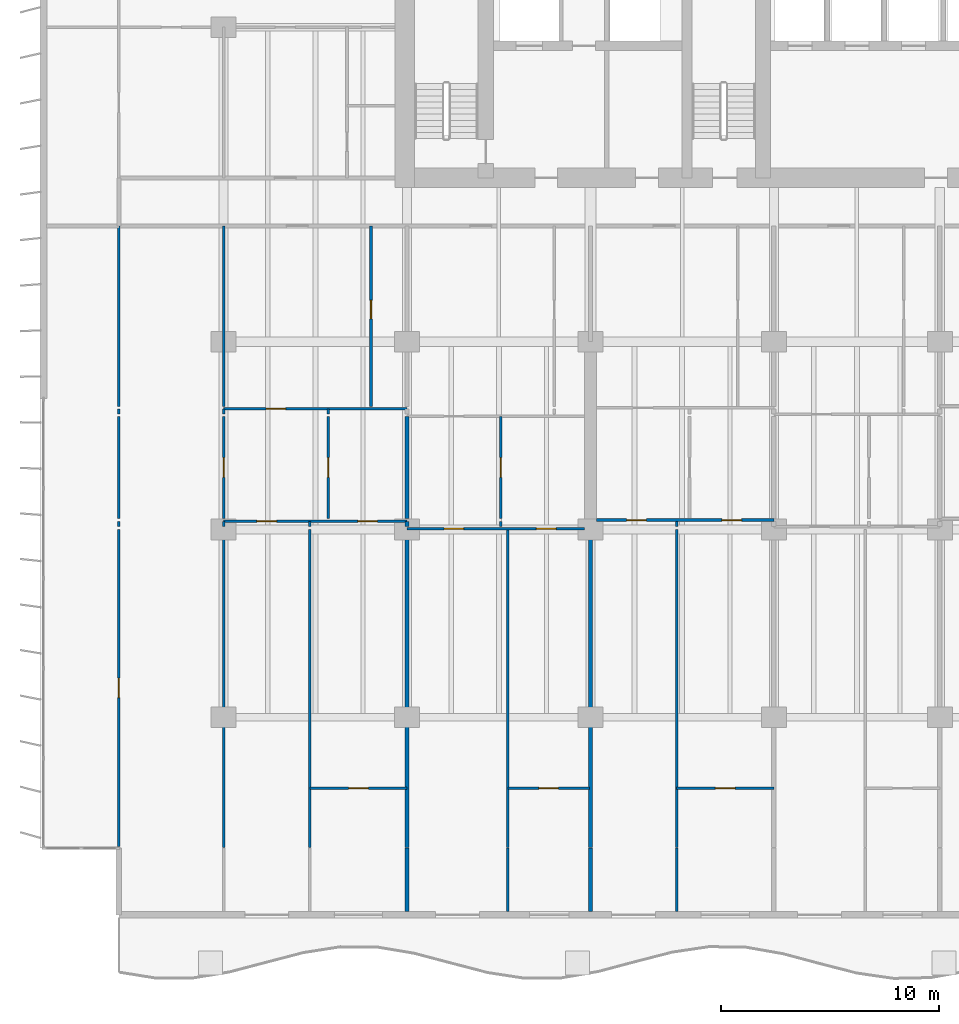
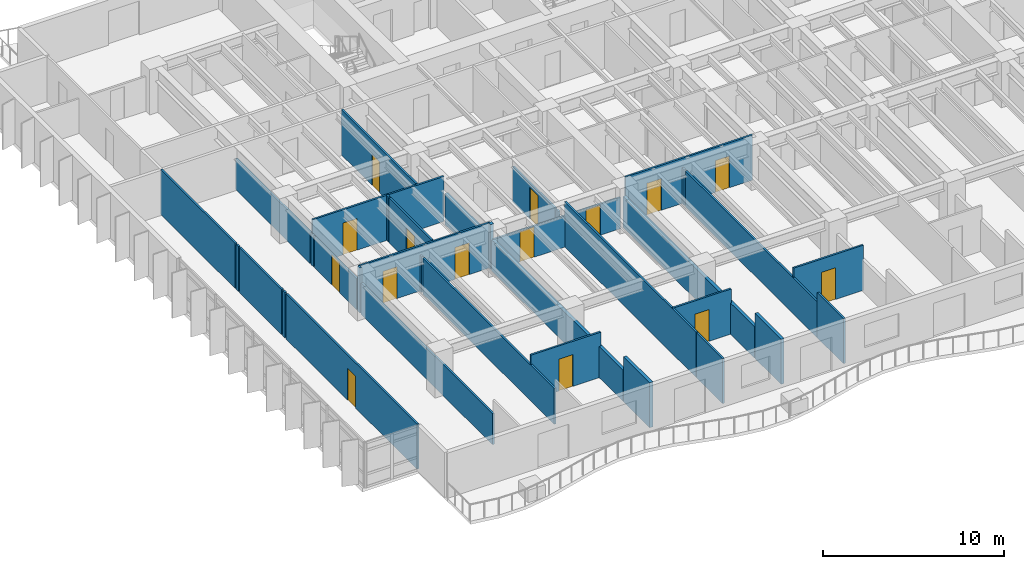
# One storey, part 6 of 19: 35 walls, 15 doors, 15 openings.
"""IFC4 building model written with IfcOpenShell, lengths in metres."""

from ifc_helpers import new_model, si_unit, direction, frame, frame_2d, origin, place, context, subcontext, project, spatial, rectangle, extrude, material, layer, layer_set, type_object, element, fill, save


model = new_model("IFC4")

# Units and contexts
model_context = context("Model", 3, precision=1e-05, world=origin(), true_north=direction((0.0, 1.0)))
body_context = subcontext(model_context, "Body", "Model", "MODEL_VIEW")
ifc_project = project(units=[si_unit("LENGTHUNIT", "METRE"), si_unit("AREAUNIT", "SQUARE_METRE"), si_unit("VOLUMEUNIT", "CUBIC_METRE"), si_unit("PLANEANGLEUNIT", "RADIAN"), si_unit("MASSUNIT", "GRAM", prefix="KILO")], contexts=[model_context])

# Site, building, storey
site_placement = place(None, origin())
site = spatial("IfcSite", under=ifc_project, at=site_placement, CompositionType="ELEMENT")
building_placement = place(site_placement, origin())
building = spatial("IfcBuilding", under=site, at=building_placement, Name="Caelmar Bay Residences", CompositionType="ELEMENT")
storey_placement = place(building_placement, frame((0.0, 0.0, 66.300048828125)))
storey = spatial("IfcBuildingStorey", under=building, at=storey_placement, Name="L17", CompositionType="ELEMENT", Elevation=66.300048828125)

# Wall, opening, door
ifc_material_1 = material(Name="Acoustic metal-stud gypsum partition 120 mm")
ifc_layer_1 = layer(ifc_material_1, 0.1201171875)
ifc_layer_set_1 = layer_set([ifc_layer_1], Name="Acoustic metal-stud gypsum partition 120 mm")
wall_type_1 = type_object("IfcWallType", Name="W-PRT-120", PredefinedType="PARTITIONING", material=ifc_layer_set_1)
wall_1_placement = place(storey_placement, frame((5.10009765625, 6.284912109375, 0.0), z_axis=(0.0, 0.0, 1.0), x_axis=(0.0, 1.0, 0.0)))
wall_1 = element("IfcWall", 1, at=wall_1_placement, inside=storey, type_object=wall_type_1, Name="L17 Partition Wall V001", PredefinedType="PARTITIONING", context=body_context, shape_type="SweptSolid", body=[
    extrude(rectangle(XDim=14.51513671875, YDim=0.1201171875, at=frame_2d((7.257568359375, 0.0))), origin(), (0.0, 0.0, 1.0), 3.050048828125),
])
opening_1_placement = place(wall_1_placement, frame((6.8076171875, 0.0, 0.0)))
opening_1 = element("IfcOpeningElement", 2, at=opening_1_placement, cuts=wall_1, Name="Opening D-L17-174", PredefinedType="OPENING", context=body_context, shape_type="SweptSolid", body=[
    extrude(rectangle(XDim=0.89990234375, YDim=2.14990234375, at=frame_2d((0.449951171875, 1.074951171875))), frame((0.0, 0.070068359375, 0.0), z_axis=(0.0, -1.0, 0.0), x_axis=(1.0, 0.0, 0.0)), (0.0, 0.0, 1.0), 0.14013671875),
])
ifc_material_2 = material(Name="Solid walnut timber interior door leaf and frame", Category="wood")
ifc_layer_2 = layer(ifc_material_2, 0.050048828125)
ifc_layer_set_2 = layer_set([ifc_layer_2], Name="Solid walnut timber interior door leaf and frame")
door_type_1 = type_object("IfcDoorType", Name="D-ROOM-900", OperationType="NOTDEFINED", PredefinedType="DOOR", material=ifc_layer_set_2)
door_1_placement = place(opening_1_placement, origin())
door_1 = element("IfcDoor", 3, at=door_1_placement, inside=storey, type_object=door_type_1, Name="L17 Residence 01 Penthouse West Salon Door", OperationType="SINGLE_SWING_LEFT", OverallHeight=2.14990234375, OverallWidth=0.89990234375, PredefinedType="DOOR", context=body_context, shape_type="SweptSolid", body=[
    extrude(rectangle(XDim=0.89990234375, YDim=2.14990234375, at=frame_2d((0.449951171875, 1.074951171875))), frame((0.0, 0.02490234375, 0.0), z_axis=(0.0, -1.0, 0.0), x_axis=(1.0, 0.0, 0.0)), (0.0, 0.0, 1.0), 0.050048828125),
])
fill(opening_1, door_1)

# Walls
wall_2_placement = place(storey_placement, frame((5.10009765625, 20.929931640625, 0.0), z_axis=(0.0, 0.0, 1.0), x_axis=(0.0, 1.0, 0.0)))
element("IfcWall", 4, at=wall_2_placement, inside=storey, type_object=wall_type_1, Name="L17 Partition Wall V002", PredefinedType="PARTITIONING", context=body_context, shape_type="SweptSolid", body=[
    extrude(rectangle(XDim=0.239990234375, YDim=0.1201171875, at=frame_2d((0.1201171875, 0.0))), origin(), (0.0, 0.0, 1.0), 3.050048828125),
])
wall_3_placement = place(storey_placement, frame((5.10009765625, 21.2900390625, 0.0), z_axis=(0.0, 0.0, 1.0), x_axis=(0.0, 1.0, 0.0)))
element("IfcWall", 5, at=wall_3_placement, inside=storey, type_object=wall_type_1, Name="L17 Partition Wall V003", PredefinedType="PARTITIONING", context=body_context, shape_type="SweptSolid", body=[
    extrude(rectangle(XDim=4.68994140625, YDim=0.1201171875, at=frame_2d((2.344970703125, 0.0))), origin(), (0.0, 0.0, 1.0), 3.050048828125),
])
wall_4_placement = place(storey_placement, frame((5.10009765625, 26.080078125, 0.0), z_axis=(0.0, 0.0, 1.0), x_axis=(0.0, 1.0, 0.0)))
element("IfcWall", 6, at=wall_4_placement, inside=storey, type_object=wall_type_1, Name="L17 Partition Wall V004", PredefinedType="PARTITIONING", context=body_context, shape_type="SweptSolid", body=[
    extrude(rectangle(XDim=0.239990234375, YDim=0.1201171875, at=frame_2d((0.1201171875, 0.0))), origin(), (0.0, 0.0, 1.0), 3.050048828125),
])
wall_5_placement = place(storey_placement, frame((5.10009765625, 26.43994140625, 0.0), z_axis=(0.0, 0.0, 1.0), x_axis=(0.0, 1.0, 0.0)))
element("IfcWall", 7, at=wall_5_placement, inside=storey, type_object=wall_type_1, Name="L17 Partition Wall V005", PredefinedType="PARTITIONING", context=body_context, shape_type="SweptSolid", body=[
    extrude(rectangle(XDim=8.260009765625, YDim=0.1201171875, at=frame_2d((4.1298828125, 0.0))), origin(), (0.0, 0.0, 1.0), 3.050048828125),
])
wall_6_placement = place(storey_placement, frame((9.89990234375, 6.239990234375, 0.0), z_axis=(0.0, 0.0, 1.0), x_axis=(0.0, 1.0, 0.0)))
element("IfcWall", 8, at=wall_6_placement, inside=storey, type_object=wall_type_1, Name="L17 Partition Wall V009", PredefinedType="PARTITIONING", context=body_context, shape_type="SweptSolid", body=[
    extrude(rectangle(XDim=14.56005859375, YDim=0.1201171875, at=frame_2d((7.280029296875, 0.0))), origin(), (0.0, 0.0, 1.0), 2.10986328125),
])
wall_7_placement = place(storey_placement, frame((9.89990234375, 20.929931640625, 0.0), z_axis=(0.0, 0.0, 1.0), x_axis=(0.0, 1.0, 0.0)))
element("IfcWall", 9, at=wall_7_placement, inside=storey, type_object=wall_type_1, Name="L17 Partition Wall V010", PredefinedType="PARTITIONING", context=body_context, shape_type="SweptSolid", body=[
    extrude(rectangle(XDim=0.239990234375, YDim=0.1201171875, at=frame_2d((0.1201171875, 0.0))), origin(), (0.0, 0.0, 1.0), 3.050048828125),
])

# Wall, opening, door
wall_8_placement = place(storey_placement, frame((9.89990234375, 21.2900390625, 0.0), z_axis=(0.0, 0.0, 1.0), x_axis=(0.0, 1.0, 0.0)))
wall_8 = element("IfcWall", 10, at=wall_8_placement, inside=storey, type_object=wall_type_1, Name="L17 Partition Wall V011", PredefinedType="PARTITIONING", context=body_context, shape_type="SweptSolid", body=[
    extrude(rectangle(XDim=4.68994140625, YDim=0.1201171875, at=frame_2d((2.344970703125, 0.0))), origin(), (0.0, 0.0, 1.0), 2.10986328125),
])
opening_2_placement = place(wall_8_placement, frame((1.89501953125, 0.0, 0.0)))
opening_2 = element("IfcOpeningElement", 11, at=opening_2_placement, cuts=wall_8, Name="Opening D-L17-130", PredefinedType="OPENING", context=body_context, shape_type="SweptSolid", body=[
    extrude(rectangle(XDim=0.89990234375, YDim=2.06005859375, at=frame_2d((0.449951171875, 1.030029296875))), frame((0.0, 0.070068359375, 0.0), z_axis=(0.0, -1.0, 0.0), x_axis=(1.0, 0.0, 0.0)), (0.0, 0.0, 1.0), 0.14013671875),
])
door_2_placement = place(opening_2_placement, origin())
door_2 = element("IfcDoor", 12, at=door_2_placement, inside=storey, type_object=door_type_1, Name="L17 Residence 01 West Apartment Hall Door", OperationType="SINGLE_SWING_LEFT", OverallHeight=2.06005859375, OverallWidth=0.89990234375, PredefinedType="DOOR", context=body_context, shape_type="SweptSolid", body=[
    extrude(rectangle(XDim=0.89990234375, YDim=2.06005859375, at=frame_2d((0.449951171875, 1.030029296875))), frame((0.0, 0.02490234375, 0.0), z_axis=(0.0, -1.0, 0.0), x_axis=(1.0, 0.0, 0.0)), (0.0, 0.0, 1.0), 0.050048828125),
])
fill(opening_2, door_2)

# Walls
wall_9_placement = place(storey_placement, frame((9.89990234375, 26.080078125, 0.0), z_axis=(0.0, 0.0, 1.0), x_axis=(0.0, 1.0, 0.0)))
element("IfcWall", 13, at=wall_9_placement, inside=storey, type_object=wall_type_1, Name="L17 Partition Wall V012", PredefinedType="PARTITIONING", context=body_context, shape_type="SweptSolid", body=[
    extrude(rectangle(XDim=0.239990234375, YDim=0.1201171875, at=frame_2d((0.1201171875, 0.0))), origin(), (0.0, 0.0, 1.0), 2.10986328125),
])
wall_10_placement = place(storey_placement, frame((9.89990234375, 26.43994140625, 0.0), z_axis=(0.0, 0.0, 1.0), x_axis=(0.0, 1.0, 0.0)))
element("IfcWall", 14, at=wall_10_placement, inside=storey, type_object=wall_type_1, Name="L17 Partition Wall V013", PredefinedType="PARTITIONING", context=body_context, shape_type="SweptSolid", body=[
    extrude(rectangle(XDim=8.260009765625, YDim=0.1201171875, at=frame_2d((4.1298828125, 0.0))), origin(), (0.0, 0.0, 1.0), 2.10986328125),
])
wall_11_placement = place(storey_placement, frame((13.847900390625, 6.239990234375, 0.0), z_axis=(0.0, 0.0, 1.0), x_axis=(0.0, 1.0, 0.0)))
element("IfcWall", 15, at=wall_11_placement, inside=storey, type_object=wall_type_1, Name="L17 Partition Wall V016", PredefinedType="PARTITIONING", context=body_context, shape_type="SweptSolid", body=[
    extrude(rectangle(XDim=14.56005859375, YDim=0.1201171875, at=frame_2d((7.280029296875, 0.0))), origin(), (0.0, 0.0, 1.0), 2.4228515625),
])
wall_12_placement = place(storey_placement, frame((13.847900390625, 20.929931640625, 0.0), z_axis=(0.0, 0.0, 1.0), x_axis=(0.0, 1.0, 0.0)))
element("IfcWall", 16, at=wall_12_placement, inside=storey, type_object=wall_type_1, Name="L17 Partition Wall V017", PredefinedType="PARTITIONING", context=body_context, shape_type="SweptSolid", body=[
    extrude(rectangle(XDim=0.239990234375, YDim=0.1201171875, at=frame_2d((0.1201171875, 0.0))), origin(), (0.0, 0.0, 1.0), 2.4228515625),
])

# Wall, opening, door
wall_13_placement = place(storey_placement, frame((14.68603515625, 21.2900390625, 0.0), z_axis=(0.0, 0.0, 1.0), x_axis=(0.0, 1.0, 0.0)))
wall_13 = element("IfcWall", 17, at=wall_13_placement, inside=storey, type_object=wall_type_1, Name="L17 Partition Wall V018", PredefinedType="PARTITIONING", context=body_context, shape_type="SweptSolid", body=[
    extrude(rectangle(XDim=4.68994140625, YDim=0.1201171875, at=frame_2d((2.344970703125, 0.0))), origin(), (0.0, 0.0, 1.0), 3.050048828125),
])
opening_3_placement = place(wall_13_placement, frame((1.89501953125, 0.0, 0.0)))
opening_3 = element("IfcOpeningElement", 18, at=opening_3_placement, cuts=wall_13, Name="Opening D-L17-126", PredefinedType="OPENING", context=body_context, shape_type="SweptSolid", body=[
    extrude(rectangle(XDim=0.89990234375, YDim=2.14990234375, at=frame_2d((0.449951171875, 1.074951171875))), frame((0.0, 0.070068359375, 0.0), z_axis=(0.0, -1.0, 0.0), x_axis=(1.0, 0.0, 0.0)), (0.0, 0.0, 1.0), 0.14013671875),
])
door_3_placement = place(opening_3_placement, origin())
door_3 = element("IfcDoor", 19, at=door_3_placement, inside=storey, type_object=door_type_1, Name="L17 Residence 01 Study Door", OperationType="SINGLE_SWING_LEFT", OverallHeight=2.14990234375, OverallWidth=0.89990234375, PredefinedType="DOOR", context=body_context, shape_type="SweptSolid", body=[
    extrude(rectangle(XDim=0.89990234375, YDim=2.14990234375, at=frame_2d((0.449951171875, 1.074951171875))), frame((0.0, 0.02490234375, 0.0), z_axis=(0.0, -1.0, 0.0), x_axis=(1.0, 0.0, 0.0)), (0.0, 0.0, 1.0), 0.050048828125),
])
fill(opening_3, door_3)

# Wall
wall_14_placement = place(storey_placement, frame((14.68603515625, 26.080078125, 0.0), z_axis=(0.0, 0.0, 1.0), x_axis=(0.0, 1.0, 0.0)))
element("IfcWall", 20, at=wall_14_placement, inside=storey, type_object=wall_type_1, Name="L17 Partition Wall V019", PredefinedType="PARTITIONING", context=body_context, shape_type="SweptSolid", body=[
    extrude(rectangle(XDim=0.239990234375, YDim=0.1201171875, at=frame_2d((0.1201171875, 0.0))), origin(), (0.0, 0.0, 1.0), 3.050048828125),
])

# Wall, opening, door
wall_15_placement = place(storey_placement, frame((16.64990234375, 26.43994140625, 0.0), z_axis=(0.0, 0.0, 1.0), x_axis=(0.0, 1.0, 0.0)))
wall_15 = element("IfcWall", 21, at=wall_15_placement, inside=storey, type_object=wall_type_1, Name="L17 Partition Wall V021", PredefinedType="PARTITIONING", context=body_context, shape_type="SweptSolid", body=[
    extrude(rectangle(XDim=8.260009765625, YDim=0.1201171875, at=frame_2d((4.1298828125, 0.0))), origin(), (0.0, 0.0, 1.0), 3.050048828125),
])
opening_4_placement = place(wall_15_placement, frame((4.0048828125, 0.0, 0.0)))
opening_4 = element("IfcOpeningElement", 22, at=opening_4_placement, cuts=wall_15, Name="Opening D-L17-124", PredefinedType="OPENING", context=body_context, shape_type="SweptSolid", body=[
    extrude(rectangle(XDim=0.85009765625, YDim=2.10009765625, at=frame_2d((0.425048828125, 1.050048828125))), frame((0.0, 0.070068359375, 0.0), z_axis=(0.0, -1.0, 0.0), x_axis=(1.0, 0.0, 0.0)), (0.0, 0.0, 1.0), 0.14013671875),
])
ifc_layer_3 = layer(ifc_material_2, 0.050048828125)
ifc_layer_set_3 = layer_set([ifc_layer_3], Name="Solid walnut timber interior door leaf and frame")
door_type_2 = type_object("IfcDoorType", Name="D-BATH-850", OperationType="NOTDEFINED", PredefinedType="DOOR", material=ifc_layer_set_3)
door_4_placement = place(opening_4_placement, origin())
door_4 = element("IfcDoor", 23, at=door_4_placement, inside=storey, type_object=door_type_2, Name="L17 Residence 01 Bathroom Door", OperationType="SINGLE_SWING_LEFT", OverallHeight=2.10009765625, OverallWidth=0.85009765625, PredefinedType="DOOR", context=body_context, shape_type="SweptSolid", body=[
    extrude(rectangle(XDim=0.85009765625, YDim=2.10009765625, at=frame_2d((0.425048828125, 1.050048828125))), frame((0.0, 0.02490234375, 0.0), z_axis=(0.0, -1.0, 0.0), x_axis=(1.0, 0.0, 0.0)), (0.0, 0.0, 1.0), 0.050048828125),
])
fill(opening_4, door_4)

# Wall
wall_16_placement = place(storey_placement, frame((22.5859375, 20.929931640625, 0.0), z_axis=(0.0, 0.0, 1.0), x_axis=(0.0, 1.0, 0.0)))
element("IfcWall", 24, at=wall_16_placement, inside=storey, type_object=wall_type_1, Name="L17 Partition Wall V029", PredefinedType="PARTITIONING", context=body_context, shape_type="SweptSolid", body=[
    extrude(rectangle(XDim=0.239990234375, YDim=0.1201171875, at=frame_2d((0.1201171875, 0.0))), origin(), (0.0, 0.0, 1.0), 2.4228515625),
])

# Wall, opening, door
wall_17_placement = place(storey_placement, frame((22.5859375, 21.2900390625, 0.0), z_axis=(0.0, 0.0, 1.0), x_axis=(0.0, 1.0, 0.0)))
wall_17 = element("IfcWall", 25, at=wall_17_placement, inside=storey, type_object=wall_type_1, Name="L17 Partition Wall V030", PredefinedType="PARTITIONING", context=body_context, shape_type="SweptSolid", body=[
    extrude(rectangle(XDim=4.68994140625, YDim=0.1201171875, at=frame_2d((2.344970703125, 0.0))), origin(), (0.0, 0.0, 1.0), 2.4228515625),
])
opening_5_placement = place(wall_17_placement, frame((1.89501953125, 0.0, 0.0)))
opening_5 = element("IfcOpeningElement", 26, at=opening_5_placement, cuts=wall_17, Name="Opening D-L17-134", PredefinedType="OPENING", context=body_context, shape_type="SweptSolid", body=[
    extrude(rectangle(XDim=0.89990234375, YDim=2.14990234375, at=frame_2d((0.449951171875, 1.074951171875))), frame((0.0, 0.070068359375, 0.0), z_axis=(0.0, -1.0, 0.0), x_axis=(1.0, 0.0, 0.0)), (0.0, 0.0, 1.0), 0.14013671875),
])
door_5_placement = place(opening_5_placement, origin())
door_5 = element("IfcDoor", 27, at=door_5_placement, inside=storey, type_object=door_type_1, Name="L17 Residence 02 Study Door", OperationType="SINGLE_SWING_LEFT", OverallHeight=2.14990234375, OverallWidth=0.89990234375, PredefinedType="DOOR", context=body_context, shape_type="SweptSolid", body=[
    extrude(rectangle(XDim=0.89990234375, YDim=2.14990234375, at=frame_2d((0.449951171875, 1.074951171875))), frame((0.0, 0.02490234375, 0.0), z_axis=(0.0, -1.0, 0.0), x_axis=(1.0, 0.0, 0.0)), (0.0, 0.0, 1.0), 0.050048828125),
])
fill(opening_5, door_5)

# Walls
wall_18_placement = place(storey_placement, frame((22.919921875, 3.294921875, 0.0), z_axis=(0.0, 0.0, 1.0), x_axis=(0.0, 1.0, 0.0)))
element("IfcWall", 28, at=wall_18_placement, inside=storey, type_object=wall_type_1, Name="L17 Partition Wall V031", PredefinedType="PARTITIONING", context=body_context, shape_type="SweptSolid", body=[
    extrude(rectangle(XDim=2.905029296875, YDim=0.1201171875, at=frame_2d((1.45263671875, 0.0))), origin(), (0.0, 0.0, 1.0), 3.050048828125),
])
wall_19_placement = place(storey_placement, frame((22.919921875, 6.239990234375, 0.0), z_axis=(0.0, 0.0, 1.0), x_axis=(0.0, 1.0, 0.0)))
element("IfcWall", 29, at=wall_19_placement, inside=storey, type_object=wall_type_1, Name="L17 Partition Wall V032", PredefinedType="PARTITIONING", context=body_context, shape_type="SweptSolid", body=[
    extrude(rectangle(XDim=14.56005859375, YDim=0.1201171875, at=frame_2d((7.280029296875, 0.0))), origin(), (0.0, 0.0, 1.0), 3.050048828125),
])
wall_20_placement = place(storey_placement, frame((30.64794921875, 3.294921875, 0.0), z_axis=(0.0, 0.0, 1.0), x_axis=(0.0, 1.0, 0.0)))
element("IfcWall", 30, at=wall_20_placement, inside=storey, type_object=wall_type_1, Name="L17 Partition Wall V042", PredefinedType="PARTITIONING", context=body_context, shape_type="SweptSolid", body=[
    extrude(rectangle(XDim=2.905029296875, YDim=0.1201171875, at=frame_2d((1.45263671875, 0.0))), origin(), (0.0, 0.0, 1.0), 3.050048828125),
])
wall_21_placement = place(storey_placement, frame((30.64794921875, 6.239990234375, 0.0), z_axis=(0.0, 0.0, 1.0), x_axis=(0.0, 1.0, 0.0)))
element("IfcWall", 31, at=wall_21_placement, inside=storey, type_object=wall_type_1, Name="L17 Partition Wall V043", PredefinedType="PARTITIONING", context=body_context, shape_type="SweptSolid", body=[
    extrude(rectangle(XDim=14.56005859375, YDim=0.1201171875, at=frame_2d((7.280029296875, 0.0))), origin(), (0.0, 0.0, 1.0), 2.4228515625),
])
wall_22_placement = place(storey_placement, frame((30.64794921875, 20.929931640625, 0.0), z_axis=(0.0, 0.0, 1.0), x_axis=(0.0, 1.0, 0.0)))
element("IfcWall", 32, at=wall_22_placement, inside=storey, type_object=wall_type_1, Name="L17 Partition Wall V044", PredefinedType="PARTITIONING", context=body_context, shape_type="SweptSolid", body=[
    extrude(rectangle(XDim=0.239990234375, YDim=0.1201171875, at=frame_2d((0.1201171875, 0.0))), origin(), (0.0, 0.0, 1.0), 2.4228515625),
])

# Wall, opening, door
wall_23_placement = place(storey_placement, frame((13.847900390625, 8.949951171875, 0.0), z_axis=(0.0, 0.0, 1.0), x_axis=(1.0, 0.0, 0.0)))
wall_23 = element("IfcWall", 33, at=wall_23_placement, inside=storey, type_object=wall_type_1, Name="L17 Partition Wall H121", PredefinedType="PARTITIONING", context=body_context, shape_type="SweptSolid", body=[
    extrude(rectangle(XDim=4.4521484375, YDim=0.1201171875, at=frame_2d((2.22607421875, 0.0))), origin(), (0.0, 0.0, 1.0), 3.050048828125),
])
opening_6_placement = place(wall_23_placement, frame((1.77587890625, 0.0, 0.0)))
opening_6 = element("IfcOpeningElement", 34, at=opening_6_placement, cuts=wall_23, Name="Opening D-L17-129", PredefinedType="OPENING", context=body_context, shape_type="SweptSolid", body=[
    extrude(rectangle(XDim=0.89990234375, YDim=2.14990234375, at=frame_2d((0.449951171875, 1.074951171875))), frame((0.0, 0.070068359375, 0.0), z_axis=(0.0, -1.0, 0.0), x_axis=(1.0, 0.0, 0.0)), (0.0, 0.0, 1.0), 0.14013671875),
])
door_6_placement = place(opening_6_placement, origin())
door_6 = element("IfcDoor", 35, at=door_6_placement, inside=storey, type_object=door_type_1, Name="L17 Residence 01 Primary Bedroom Door", OperationType="SINGLE_SWING_RIGHT", OverallHeight=2.14990234375, OverallWidth=0.89990234375, PredefinedType="DOOR", context=body_context, shape_type="SweptSolid", body=[
    extrude(rectangle(XDim=0.89990234375, YDim=2.14990234375, at=frame_2d((0.449951171875, 1.074951171875))), frame((0.0, 0.02490234375, 0.0), z_axis=(0.0, -1.0, 0.0), x_axis=(1.0, 0.0, 0.0)), (0.0, 0.0, 1.0), 0.050048828125),
])
fill(opening_6, door_6)

wall_24_placement = place(storey_placement, frame((22.919921875, 8.949951171875, 0.0), z_axis=(0.0, 0.0, 1.0), x_axis=(1.0, 0.0, 0.0)))
wall_24 = element("IfcWall", 36, at=wall_24_placement, inside=storey, type_object=wall_type_1, Name="L17 Partition Wall H122", PredefinedType="PARTITIONING", context=body_context, shape_type="SweptSolid", body=[
    extrude(rectangle(XDim=3.72998046875, YDim=0.1201171875, at=frame_2d((1.864990234375, 0.0))), origin(), (0.0, 0.0, 1.0), 3.050048828125),
])
opening_7_placement = place(wall_24_placement, frame((1.4150390625, 0.0, 0.0)))
opening_7 = element("IfcOpeningElement", 37, at=opening_7_placement, cuts=wall_24, Name="Opening D-L17-137", PredefinedType="OPENING", context=body_context, shape_type="SweptSolid", body=[
    extrude(rectangle(XDim=0.89990234375, YDim=2.14990234375, at=frame_2d((0.449951171875, 1.074951171875))), frame((0.0, 0.070068359375, 0.0), z_axis=(0.0, -1.0, 0.0), x_axis=(1.0, 0.0, 0.0)), (0.0, 0.0, 1.0), 0.14013671875),
])
door_7_placement = place(opening_7_placement, origin())
door_7 = element("IfcDoor", 38, at=door_7_placement, inside=storey, type_object=door_type_1, Name="L17 Residence 02 Primary Bedroom Door", OperationType="SINGLE_SWING_RIGHT", OverallHeight=2.14990234375, OverallWidth=0.89990234375, PredefinedType="DOOR", context=body_context, shape_type="SweptSolid", body=[
    extrude(rectangle(XDim=0.89990234375, YDim=2.14990234375, at=frame_2d((0.449951171875, 1.074951171875))), frame((0.0, 0.02490234375, 0.0), z_axis=(0.0, -1.0, 0.0), x_axis=(1.0, 0.0, 0.0)), (0.0, 0.0, 1.0), 0.050048828125),
])
fill(opening_7, door_7)

wall_25_placement = place(storey_placement, frame((30.64794921875, 8.949951171875, 0.0), z_axis=(0.0, 0.0, 1.0), x_axis=(1.0, 0.0, 0.0)))
wall_25 = element("IfcWall", 39, at=wall_25_placement, inside=storey, type_object=wall_type_1, Name="L17 Partition Wall H123", PredefinedType="PARTITIONING", context=body_context, shape_type="SweptSolid", body=[
    extrude(rectangle(XDim=4.4521484375, YDim=0.1201171875, at=frame_2d((2.22607421875, 0.0))), origin(), (0.0, 0.0, 1.0), 3.050048828125),
])
opening_8_placement = place(wall_25_placement, frame((1.77587890625, 0.0, 0.0)))
opening_8 = element("IfcOpeningElement", 40, at=opening_8_placement, cuts=wall_25, Name="Opening D-L17-144", PredefinedType="OPENING", context=body_context, shape_type="SweptSolid", body=[
    extrude(rectangle(XDim=0.89990234375, YDim=2.14990234375, at=frame_2d((0.449951171875, 1.074951171875))), frame((0.0, 0.070068359375, 0.0), z_axis=(0.0, -1.0, 0.0), x_axis=(1.0, 0.0, 0.0)), (0.0, 0.0, 1.0), 0.14013671875),
])
door_8_placement = place(opening_8_placement, origin())
door_8 = element("IfcDoor", 41, at=door_8_placement, inside=storey, type_object=door_type_1, Name="L17 Residence 03 Primary Bedroom Door", OperationType="SINGLE_SWING_LEFT", OverallHeight=2.14990234375, OverallWidth=0.89990234375, PredefinedType="DOOR", context=body_context, shape_type="SweptSolid", body=[
    extrude(rectangle(XDim=0.89990234375, YDim=2.14990234375, at=frame_2d((0.449951171875, 1.074951171875))), frame((0.0, 0.02490234375, 0.0), z_axis=(0.0, -1.0, 0.0), x_axis=(1.0, 0.0, 0.0)), (0.0, 0.0, 1.0), 0.050048828125),
])
fill(opening_8, door_8)

# Wall, openings, doors
wall_26_placement = place(storey_placement, frame((18.300048828125, 20.830078125, 0.0), z_axis=(0.0, 0.0, 1.0), x_axis=(1.0, 0.0, 0.0)))
wall_26 = element("IfcWall", 42, at=wall_26_placement, inside=storey, type_object=wall_type_1, Name="L17 Partition Wall H128", PredefinedType="PARTITIONING", context=body_context, shape_type="SweptSolid", body=[
    extrude(rectangle(XDim=8.1298828125, YDim=0.1201171875, at=frame_2d((4.06494140625, 0.0))), origin(), (0.0, 0.0, 1.0), 2.10986328125),
])
opening_9_placement = place(wall_26_placement, frame((1.693115234375, 0.0, 0.0)))
opening_9 = element("IfcOpeningElement", 43, at=opening_9_placement, cuts=wall_26, Name="Opening D-L17-135", PredefinedType="OPENING", context=body_context, shape_type="SweptSolid", body=[
    extrude(rectangle(XDim=0.89990234375, YDim=2.06005859375, at=frame_2d((0.449951171875, 1.030029296875))), frame((0.0, 0.070068359375, 0.0), z_axis=(0.0, -1.0, 0.0), x_axis=(1.0, 0.0, 0.0)), (0.0, 0.0, 1.0), 0.14013671875),
])
opening_10_placement = place(wall_26_placement, frame((5.925048828125, 0.0, 0.0)))
opening_10 = element("IfcOpeningElement", 44, at=opening_10_placement, cuts=wall_26, Name="Opening D-L17-136", PredefinedType="OPENING", context=body_context, shape_type="SweptSolid", body=[
    extrude(rectangle(XDim=0.89990234375, YDim=2.06005859375, at=frame_2d((0.449951171875, 1.030029296875))), frame((0.0, 0.070068359375, 0.0), z_axis=(0.0, -1.0, 0.0), x_axis=(1.0, 0.0, 0.0)), (0.0, 0.0, 1.0), 0.14013671875),
])
door_9_placement = place(opening_9_placement, origin())
door_9 = element("IfcDoor", 45, at=door_9_placement, inside=storey, type_object=door_type_1, Name="L17 Residence 02 Penthouse Living Salon Door", OperationType="SINGLE_SWING_RIGHT", OverallHeight=2.06005859375, OverallWidth=0.89990234375, PredefinedType="DOOR", context=body_context, shape_type="SweptSolid", body=[
    extrude(rectangle(XDim=0.89990234375, YDim=2.06005859375, at=frame_2d((0.449951171875, 1.030029296875))), frame((0.0, 0.02490234375, 0.0), z_axis=(0.0, -1.0, 0.0), x_axis=(1.0, 0.0, 0.0)), (0.0, 0.0, 1.0), 0.050048828125),
])
fill(opening_9, door_9)
door_10_placement = place(opening_10_placement, origin())
door_10 = element("IfcDoor", 46, at=door_10_placement, inside=storey, type_object=door_type_1, Name="L17 Residence 02 Penthouse Sitting Room Door", OperationType="SINGLE_SWING_LEFT", OverallHeight=2.06005859375, OverallWidth=0.89990234375, PredefinedType="DOOR", context=body_context, shape_type="SweptSolid", body=[
    extrude(rectangle(XDim=0.89990234375, YDim=2.06005859375, at=frame_2d((0.449951171875, 1.030029296875))), frame((0.0, 0.02490234375, 0.0), z_axis=(0.0, -1.0, 0.0), x_axis=(1.0, 0.0, 0.0)), (0.0, 0.0, 1.0), 0.050048828125),
])
fill(opening_10, door_10)

wall_27_placement = place(storey_placement, frame((9.89990234375, 21.169921875, 0.0), z_axis=(0.0, 0.0, 1.0), x_axis=(1.0, 0.0, 0.0)))
wall_27 = element("IfcWall", 47, at=wall_27_placement, inside=storey, type_object=wall_type_1, Name="L17 Partition Wall H131", PredefinedType="PARTITIONING", context=body_context, shape_type="SweptSolid", body=[
    extrude(rectangle(XDim=8.400146484375, YDim=0.1201171875, at=frame_2d((4.2001953125, 0.0))), origin(), (0.0, 0.0, 1.0), 3.050048828125),
])
opening_11_placement = place(wall_27_placement, frame((1.52392578125, 0.0, 0.0)))
opening_11 = element("IfcOpeningElement", 48, at=opening_11_placement, cuts=wall_27, Name="Opening D-L17-127", PredefinedType="OPENING", context=body_context, shape_type="SweptSolid", body=[
    extrude(rectangle(XDim=0.89990234375, YDim=2.14990234375, at=frame_2d((0.449951171875, 1.074951171875))), frame((0.0, 0.070068359375, 0.0), z_axis=(0.0, -1.0, 0.0), x_axis=(1.0, 0.0, 0.0)), (0.0, 0.0, 1.0), 0.14013671875),
])
opening_12_placement = place(wall_27_placement, frame((6.14306640625, 0.0, 0.0)))
opening_12 = element("IfcOpeningElement", 49, at=opening_12_placement, cuts=wall_27, Name="Opening D-L17-128", PredefinedType="OPENING", context=body_context, shape_type="SweptSolid", body=[
    extrude(rectangle(XDim=0.89990234375, YDim=2.14990234375, at=frame_2d((0.449951171875, 1.074951171875))), frame((0.0, 0.070068359375, 0.0), z_axis=(0.0, -1.0, 0.0), x_axis=(1.0, 0.0, 0.0)), (0.0, 0.0, 1.0), 0.14013671875),
])
door_11_placement = place(opening_11_placement, origin())
door_11 = element("IfcDoor", 50, at=door_11_placement, inside=storey, type_object=door_type_1, Name="L17 Residence 01 Living Room Door", OperationType="SINGLE_SWING_RIGHT", OverallHeight=2.14990234375, OverallWidth=0.89990234375, PredefinedType="DOOR", context=body_context, shape_type="SweptSolid", body=[
    extrude(rectangle(XDim=0.89990234375, YDim=2.14990234375, at=frame_2d((0.449951171875, 1.074951171875))), frame((0.0, 0.02490234375, 0.0), z_axis=(0.0, -1.0, 0.0), x_axis=(1.0, 0.0, 0.0)), (0.0, 0.0, 1.0), 0.050048828125),
])
fill(opening_11, door_11)
door_12_placement = place(opening_12_placement, origin())
door_12 = element("IfcDoor", 51, at=door_12_placement, inside=storey, type_object=door_type_1, Name="L17 Residence 01 Penthouse Sitting Room Door", OperationType="SINGLE_SWING_LEFT", OverallHeight=2.14990234375, OverallWidth=0.89990234375, PredefinedType="DOOR", context=body_context, shape_type="SweptSolid", body=[
    extrude(rectangle(XDim=0.89990234375, YDim=2.14990234375, at=frame_2d((0.449951171875, 1.074951171875))), frame((0.0, 0.02490234375, 0.0), z_axis=(0.0, -1.0, 0.0), x_axis=(1.0, 0.0, 0.0)), (0.0, 0.0, 1.0), 0.050048828125),
])
fill(opening_12, door_12)

wall_28_placement = place(storey_placement, frame((26.969970703125, 21.22998046875, 0.0), z_axis=(0.0, 0.0, 1.0), x_axis=(1.0, 0.0, 0.0)))
wall_28 = element("IfcWall", 52, at=wall_28_placement, inside=storey, type_object=wall_type_1, Name="L17 Partition Wall H133", PredefinedType="PARTITIONING", context=body_context, shape_type="SweptSolid", body=[
    extrude(rectangle(XDim=8.130126953125, YDim=0.1201171875, at=frame_2d((4.06494140625, 0.0))), origin(), (0.0, 0.0, 1.0), 3.050048828125),
])
opening_13_placement = place(wall_28_placement, frame((1.388916015625, 0.0, 0.0)))
opening_13 = element("IfcOpeningElement", 53, at=opening_13_placement, cuts=wall_28, Name="Opening D-L17-142", PredefinedType="OPENING", context=body_context, shape_type="SweptSolid", body=[
    extrude(rectangle(XDim=0.89990234375, YDim=2.14990234375, at=frame_2d((0.449951171875, 1.074951171875))), frame((0.0, 0.070068359375, 0.0), z_axis=(0.0, -1.0, 0.0), x_axis=(1.0, 0.0, 0.0)), (0.0, 0.0, 1.0), 0.14013671875),
])
opening_14_placement = place(wall_28_placement, frame((5.748046875, 0.0, 0.0)))
opening_14 = element("IfcOpeningElement", 54, at=opening_14_placement, cuts=wall_28, Name="Opening D-L17-143", PredefinedType="OPENING", context=body_context, shape_type="SweptSolid", body=[
    extrude(rectangle(XDim=0.89990234375, YDim=2.14990234375, at=frame_2d((0.449951171875, 1.074951171875))), frame((0.0, 0.070068359375, 0.0), z_axis=(0.0, -1.0, 0.0), x_axis=(1.0, 0.0, 0.0)), (0.0, 0.0, 1.0), 0.14013671875),
])
door_13_placement = place(opening_13_placement, origin())
door_13 = element("IfcDoor", 55, at=door_13_placement, inside=storey, type_object=door_type_1, Name="L17 Residence 03 Living Room Door", OperationType="SINGLE_SWING_LEFT", OverallHeight=2.14990234375, OverallWidth=0.89990234375, PredefinedType="DOOR", context=body_context, shape_type="SweptSolid", body=[
    extrude(rectangle(XDim=0.89990234375, YDim=2.14990234375, at=frame_2d((0.449951171875, 1.074951171875))), frame((0.0, 0.02490234375, 0.0), z_axis=(0.0, -1.0, 0.0), x_axis=(1.0, 0.0, 0.0)), (0.0, 0.0, 1.0), 0.050048828125),
])
fill(opening_13, door_13)
door_14_placement = place(opening_14_placement, origin())
door_14 = element("IfcDoor", 56, at=door_14_placement, inside=storey, type_object=door_type_1, Name="L17 Residence 03 Penthouse Sitting Room Door", OperationType="SINGLE_SWING_RIGHT", OverallHeight=2.14990234375, OverallWidth=0.89990234375, PredefinedType="DOOR", context=body_context, shape_type="SweptSolid", body=[
    extrude(rectangle(XDim=0.89990234375, YDim=2.14990234375, at=frame_2d((0.449951171875, 1.074951171875))), frame((0.0, 0.02490234375, 0.0), z_axis=(0.0, -1.0, 0.0), x_axis=(1.0, 0.0, 0.0)), (0.0, 0.0, 1.0), 0.050048828125),
])
fill(opening_14, door_14)

# Wall, opening, door
wall_29_placement = place(storey_placement, frame((9.89990234375, 26.320068359375, 0.0), z_axis=(0.0, 0.0, 1.0), x_axis=(1.0, 0.0, 0.0)))
wall_29 = element("IfcWall", 57, at=wall_29_placement, inside=storey, type_object=wall_type_1, Name="L17 Partition Wall H138", PredefinedType="PARTITIONING", context=body_context, shape_type="SweptSolid", body=[
    extrude(rectangle(XDim=8.400146484375, YDim=0.1201171875, at=frame_2d((4.2001953125, 0.0))), origin(), (0.0, 0.0, 1.0), 3.050048828125),
])
opening_15_placement = place(wall_29_placement, frame((1.943115234375, 0.0, 0.0)))
opening_15 = element("IfcOpeningElement", 58, at=opening_15_placement, cuts=wall_29, Name="Opening D-L17-125", PredefinedType="OPENING", context=body_context, shape_type="SweptSolid", body=[
    extrude(rectangle(XDim=0.89990234375, YDim=2.14990234375, at=frame_2d((0.449951171875, 1.074951171875))), frame((0.0, 0.070068359375, 0.0), z_axis=(0.0, -1.0, 0.0), x_axis=(1.0, 0.0, 0.0)), (0.0, 0.0, 1.0), 0.14013671875),
])
door_15_placement = place(opening_15_placement, origin())
door_15 = element("IfcDoor", 59, at=door_15_placement, inside=storey, type_object=door_type_1, Name="L17 Residence 01 Kitchen Door", OperationType="SINGLE_SWING_RIGHT", OverallHeight=2.14990234375, OverallWidth=0.89990234375, PredefinedType="DOOR", context=body_context, shape_type="SweptSolid", body=[
    extrude(rectangle(XDim=0.89990234375, YDim=2.14990234375, at=frame_2d((0.449951171875, 1.074951171875))), frame((0.0, 0.02490234375, 0.0), z_axis=(0.0, -1.0, 0.0), x_axis=(1.0, 0.0, 0.0)), (0.0, 0.0, 1.0), 0.050048828125),
])
fill(opening_15, door_15)

# Walls
ifc_material_3 = material(Name="Acoustic twin-stud fire-rated inter-tenancy partition 200 mm")
ifc_layer_4 = layer(ifc_material_3, 0.199951171875)
ifc_layer_set_4 = layer_set([ifc_layer_4], Name="Acoustic twin-stud fire-rated inter-tenancy partition 200 mm")
wall_type_2 = type_object("IfcWallType", Name="W-PTY-200", PredefinedType="PARTITIONING", material=ifc_layer_set_4)
wall_30_placement = place(storey_placement, frame((18.300048828125, 3.294921875, 0.0), z_axis=(0.0, 0.0, 1.0), x_axis=(0.0, 1.0, 0.0)))
element("IfcWall", 60, at=wall_30_placement, inside=storey, type_object=wall_type_2, Name="L17 Partition Wall V022", PredefinedType="PARTITIONING", context=body_context, shape_type="SweptSolid", body=[
    extrude(rectangle(XDim=2.905029296875, YDim=0.199951171875, at=frame_2d((1.45263671875, 0.0))), origin(), (0.0, 0.0, 1.0), 3.050048828125),
])
wall_31_placement = place(storey_placement, frame((18.300048828125, 6.239990234375, 0.0), z_axis=(0.0, 0.0, 1.0), x_axis=(0.0, 1.0, 0.0)))
element("IfcWall", 61, at=wall_31_placement, inside=storey, type_object=wall_type_2, Name="L17 Partition Wall V023", PredefinedType="PARTITIONING", context=body_context, shape_type="SweptSolid", body=[
    extrude(rectangle(XDim=14.56005859375, YDim=0.199951171875, at=frame_2d((7.280029296875, 0.0))), origin(), (0.0, 0.0, 1.0), 2.10986328125),
])
wall_32_placement = place(storey_placement, frame((18.300048828125, 20.929931640625, 0.0), z_axis=(0.0, 0.0, 1.0), x_axis=(0.0, 1.0, 0.0)))
element("IfcWall", 62, at=wall_32_placement, inside=storey, type_object=wall_type_2, Name="L17 Partition Wall V024", PredefinedType="PARTITIONING", context=body_context, shape_type="SweptSolid", body=[
    extrude(rectangle(XDim=0.239990234375, YDim=0.199951171875, at=frame_2d((0.1201171875, 0.0))), origin(), (0.0, 0.0, 1.0), 3.050048828125),
])
wall_33_placement = place(storey_placement, frame((18.300048828125, 21.2900390625, 0.0), z_axis=(0.0, 0.0, 1.0), x_axis=(0.0, 1.0, 0.0)))
element("IfcWall", 63, at=wall_33_placement, inside=storey, type_object=wall_type_2, Name="L17 Partition Wall V025", PredefinedType="PARTITIONING", context=body_context, shape_type="SweptSolid", body=[
    extrude(rectangle(XDim=4.68994140625, YDim=0.199951171875, at=frame_2d((2.344970703125, 0.0))), origin(), (0.0, 0.0, 1.0), 2.10986328125),
])
wall_34_placement = place(storey_placement, frame((26.699951171875, 3.294921875, 0.0), z_axis=(0.0, 0.0, 1.0), x_axis=(0.0, 1.0, 0.0)))
element("IfcWall", 64, at=wall_34_placement, inside=storey, type_object=wall_type_2, Name="L17 Partition Wall V037", PredefinedType="PARTITIONING", context=body_context, shape_type="SweptSolid", body=[
    extrude(rectangle(XDim=2.905029296875, YDim=0.199951171875, at=frame_2d((1.45263671875, 0.0))), origin(), (0.0, 0.0, 1.0), 3.050048828125),
])
wall_35_placement = place(storey_placement, frame((26.699951171875, 6.239990234375, 0.0), z_axis=(0.0, 0.0, 1.0), x_axis=(0.0, 1.0, 0.0)))
element("IfcWall", 65, at=wall_35_placement, inside=storey, type_object=wall_type_2, Name="L17 Partition Wall V038", PredefinedType="PARTITIONING", context=body_context, shape_type="SweptSolid", body=[
    extrude(rectangle(XDim=14.554931640625, YDim=0.199951171875, at=frame_2d((7.27734375, 0.0))), origin(), (0.0, 0.0, 1.0), 2.10986328125),
])

save(model, "model.ifc")
